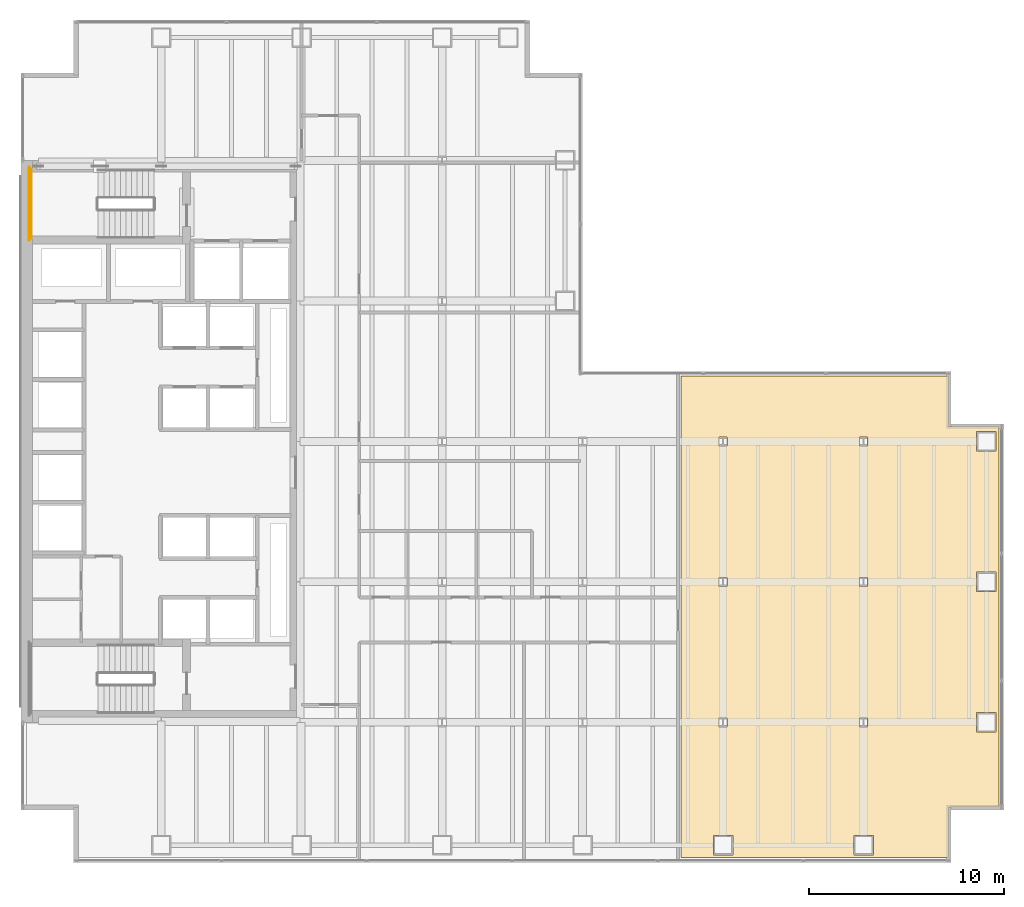
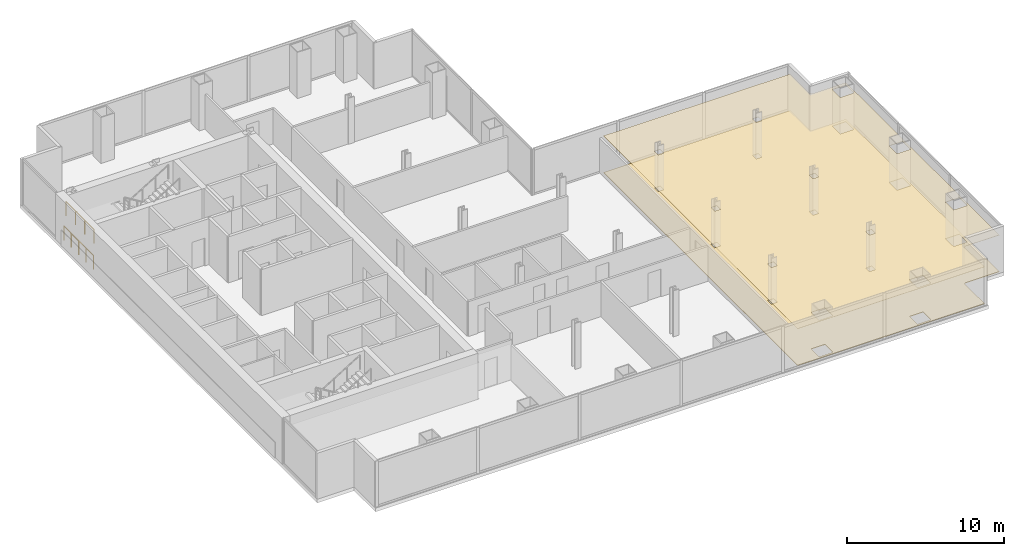
# One storey, part 24 of 25: 2 coverings, 2 railings.
"""IFC4 building model written with IfcOpenShell, lengths in metres."""

from ifc_helpers import new_model, si_unit, direction, frame, origin, origin_2d, place, context, subcontext, project, spatial, polyline, circle, outline, extrude, material, layer, layer_set, type_object, element, save


model = new_model("IFC4")

# Units and contexts
model_context = context("Model", 3, precision=1e-05, world=origin(), true_north=direction((0.0, 1.0)))
body_context = subcontext(model_context, "Body", "Model", "MODEL_VIEW")
ifc_project = project(units=[si_unit("LENGTHUNIT", "METRE"), si_unit("AREAUNIT", "SQUARE_METRE"), si_unit("VOLUMEUNIT", "CUBIC_METRE"), si_unit("PLANEANGLEUNIT", "RADIAN"), si_unit("MASSUNIT", "GRAM", prefix="KILO")], contexts=[model_context])

# Site, building, storey
site_placement = place(None, origin())
site = spatial("IfcSite", under=ifc_project, at=site_placement, CompositionType="ELEMENT")
building_placement = place(site_placement, origin())
building = spatial("IfcBuilding", under=site, at=building_placement, Name="Cobrela Telecom Tower", CompositionType="ELEMENT")
storey_placement = place(building_placement, frame((0.0, 0.0, 61.949951171875)))
storey = spatial("IfcBuildingStorey", under=building, at=storey_placement, Name="L15", CompositionType="ELEMENT", Elevation=61.949951171875)

# Coverings
ifc_material_1 = material(Name="Mineral Fibre Acoustic Ceiling Tile")
ifc_layer_1 = layer(ifc_material_1, 0.02490234375)
ifc_layer_set_1 = layer_set([ifc_layer_1], Name="Mineral Fibre Acoustic Ceiling Tile")
covering_type_1 = type_object("IfcCoveringType", Name="COV-CEIL-ACT", PredefinedType="CEILING", material=ifc_layer_set_1)
covering_1_placement = place(storey_placement, frame((0.0, 0.0, 2.85009765625)))
element("IfcCovering", 1, at=covering_1_placement, inside=storey, type_object=covering_type_1, Name="L15 Systems Engineering Studio 9 Suspended Acoustic Ceiling", PredefinedType="CEILING", context=body_context, shape_type="SweptSolid", body=[
    extrude(outline(polyline([(47.66259765625, 2.847412109375), (47.6494140625, 2.843994140625), (47.636474609375, 2.83935546875), (47.6240234375, 2.83349609375), (47.612060546875, 2.826416015625), (47.601318359375, 2.818359375), (47.591064453125, 2.80908203125), (47.581787109375, 2.798828125), (47.573486328125, 2.787841796875), (47.56640625, 2.77587890625), (47.560546875, 2.763671875), (47.555908203125, 2.75048828125), (47.552490234375, 2.7373046875), (47.550537109375, 2.7236328125), (47.550048828125, 2.7109375), (47.550048828125, 0.260009765625), (33.840087890625, 0.260009765625), (33.840087890625, 24.93994140625), (47.550048828125, 24.93994140625), (47.550048828125, 22.489013671875), (47.550537109375, 22.476318359375), (47.552490234375, 22.462646484375), (47.555908203125, 22.449462890625), (47.560546875, 22.436279296875), (47.56640625, 22.424072265625), (47.573486328125, 22.412109375), (47.581787109375, 22.401123046875), (47.591064453125, 22.39111328125), (47.601318359375, 22.381591796875), (47.612060546875, 22.37353515625), (47.6240234375, 22.366455078125), (47.636474609375, 22.360595703125), (47.6494140625, 22.35595703125), (47.66259765625, 22.3525390625), (47.67626953125, 22.3505859375), (47.68896484375, 22.35009765625), (50.139892578125, 22.35009765625), (50.139892578125, 2.85009765625), (47.68896484375, 2.85009765625), (47.67626953125, 2.849365234375), (47.66259765625, 2.847412109375)]), holes=[polyline([(36.5, 0.39990234375), (36.5, 1.39990234375), (35.5, 1.39990234375), (35.5, 0.39990234375), (36.5, 0.39990234375)]), polyline([(43.699951171875, 0.39990234375), (43.699951171875, 1.39990234375), (42.699951171875, 1.39990234375), (42.699951171875, 0.39990234375), (43.699951171875, 0.39990234375)]), polyline([(36.2109375, 6.967529296875), (36.2109375, 7.4326171875), (35.7890625, 7.4326171875), (35.7890625, 6.967529296875), (36.2109375, 6.967529296875)]), polyline([(43.410888671875, 6.967529296875), (43.410888671875, 7.4326171875), (42.989013671875, 7.4326171875), (42.989013671875, 6.967529296875), (43.410888671875, 6.967529296875)]), polyline([(50.0, 6.699951171875), (50.0, 7.699951171875), (49.0, 7.699951171875), (49.0, 6.699951171875), (50.0, 6.699951171875)]), polyline([(36.2109375, 14.16748046875), (36.2109375, 14.632568359375), (35.7890625, 14.632568359375), (35.7890625, 14.16748046875), (36.2109375, 14.16748046875)]), polyline([(43.410888671875, 14.16748046875), (43.410888671875, 14.632568359375), (42.989013671875, 14.632568359375), (42.989013671875, 14.16748046875), (43.410888671875, 14.16748046875)]), polyline([(50.0, 13.89990234375), (50.0, 14.89990234375), (49.0, 14.89990234375), (49.0, 13.89990234375), (50.0, 13.89990234375)]), polyline([(36.2109375, 21.367431640625), (36.2109375, 21.83251953125), (35.7890625, 21.83251953125), (35.7890625, 21.367431640625), (36.2109375, 21.367431640625)]), polyline([(43.410888671875, 21.367431640625), (43.410888671875, 21.83251953125), (42.989013671875, 21.83251953125), (42.989013671875, 21.367431640625), (43.410888671875, 21.367431640625)]), polyline([(50.0, 21.10009765625), (50.0, 22.10009765625), (49.0, 22.10009765625), (49.0, 21.10009765625), (50.0, 21.10009765625)])]), origin(), (0.0, 0.0, 1.0), 0.02490234375),
])
ifc_material_2 = material(Name="Honed Colombian Basalt Stone", Category="masonry")
ifc_layer_2 = layer(ifc_material_2, 0.0400390625)
ifc_layer_set_2 = layer_set([ifc_layer_2], Name="Honed Colombian Basalt Stone")
covering_type_2 = type_object("IfcCoveringType", Name="COV-FLR-STONE", PredefinedType="FLOORING", material=ifc_layer_set_2)
covering_2_placement = place(storey_placement, origin())
element("IfcCovering", 2, at=covering_2_placement, inside=storey, type_object=covering_type_2, Name="L15 Systems Engineering Studio 9 Raised Technical Flooring", PredefinedType="FLOORING", context=body_context, shape_type="SweptSolid", body=[
    extrude(outline(polyline([(47.66259765625, 2.847412109375), (47.6494140625, 2.843994140625), (47.636474609375, 2.83935546875), (47.6240234375, 2.83349609375), (47.612060546875, 2.826416015625), (47.601318359375, 2.818359375), (47.591064453125, 2.80908203125), (47.581787109375, 2.798828125), (47.573486328125, 2.787841796875), (47.56640625, 2.77587890625), (47.560546875, 2.763671875), (47.555908203125, 2.75048828125), (47.552490234375, 2.7373046875), (47.550537109375, 2.7236328125), (47.550048828125, 2.7109375), (47.550048828125, 0.260009765625), (33.840087890625, 0.260009765625), (33.840087890625, 24.93994140625), (47.550048828125, 24.93994140625), (47.550048828125, 22.489013671875), (47.550537109375, 22.476318359375), (47.552490234375, 22.462646484375), (47.555908203125, 22.449462890625), (47.560546875, 22.436279296875), (47.56640625, 22.424072265625), (47.573486328125, 22.412109375), (47.581787109375, 22.401123046875), (47.591064453125, 22.39111328125), (47.601318359375, 22.381591796875), (47.612060546875, 22.37353515625), (47.6240234375, 22.366455078125), (47.636474609375, 22.360595703125), (47.6494140625, 22.35595703125), (47.66259765625, 22.3525390625), (47.67626953125, 22.3505859375), (47.68896484375, 22.35009765625), (50.139892578125, 22.35009765625), (50.139892578125, 2.85009765625), (47.68896484375, 2.85009765625), (47.67626953125, 2.849365234375), (47.66259765625, 2.847412109375)]), holes=[polyline([(36.5, 0.39990234375), (36.5, 1.39990234375), (35.5, 1.39990234375), (35.5, 0.39990234375), (36.5, 0.39990234375)]), polyline([(43.699951171875, 0.39990234375), (43.699951171875, 1.39990234375), (42.699951171875, 1.39990234375), (42.699951171875, 0.39990234375), (43.699951171875, 0.39990234375)]), polyline([(36.2109375, 6.967529296875), (36.2109375, 7.4326171875), (35.7890625, 7.4326171875), (35.7890625, 6.967529296875), (36.2109375, 6.967529296875)]), polyline([(43.410888671875, 6.967529296875), (43.410888671875, 7.4326171875), (42.989013671875, 7.4326171875), (42.989013671875, 6.967529296875), (43.410888671875, 6.967529296875)]), polyline([(50.0, 6.699951171875), (50.0, 7.699951171875), (49.0, 7.699951171875), (49.0, 6.699951171875), (50.0, 6.699951171875)]), polyline([(36.2109375, 14.16748046875), (36.2109375, 14.632568359375), (35.7890625, 14.632568359375), (35.7890625, 14.16748046875), (36.2109375, 14.16748046875)]), polyline([(43.410888671875, 14.16748046875), (43.410888671875, 14.632568359375), (42.989013671875, 14.632568359375), (42.989013671875, 14.16748046875), (43.410888671875, 14.16748046875)]), polyline([(50.0, 13.89990234375), (50.0, 14.89990234375), (49.0, 14.89990234375), (49.0, 13.89990234375), (50.0, 13.89990234375)]), polyline([(36.2109375, 21.367431640625), (36.2109375, 21.83251953125), (35.7890625, 21.83251953125), (35.7890625, 21.367431640625), (36.2109375, 21.367431640625)]), polyline([(43.410888671875, 21.367431640625), (43.410888671875, 21.83251953125), (42.989013671875, 21.83251953125), (42.989013671875, 21.367431640625), (43.410888671875, 21.367431640625)]), polyline([(50.0, 21.10009765625), (50.0, 22.10009765625), (49.0, 22.10009765625), (49.0, 21.10009765625), (50.0, 21.10009765625)])]), origin(), (0.0, 0.0, 1.0), 0.0400390625),
])

# Railings
ifc_material_3 = material(Name="Steel ASTM A36", Category="steel")
railing_type = type_object("IfcRailingType", Name="RAIL-GUARD-1100", PredefinedType="GUARDRAIL", material=ifc_material_3)
railing_1_placement = place(storey_placement, frame((0.530029296875, 35.550048828125, 1.925048828125)))
element("IfcRailing", 3, at=railing_1_placement, inside=storey, type_object=railing_type, Name="L15 ST1 stair guard 3", PredefinedType="GUARDRAIL", context=body_context, shape_type="SweptSolid", body=[
    extrude(circle(Radius=0.02392578125, at=origin_2d()), frame((0.0, 0.0, 1.076171875), z_axis=(0.0, -1.0, 0.0), x_axis=(1.0, 0.0, 0.0)), (0.0, 0.0, 1.0), 3.550048828125),
    extrude(circle(Radius=0.02099609375, at=origin_2d()), origin(), (0.0, 0.0, 1.0), 1.052001953125),
    extrude(circle(Radius=0.02099609375, at=origin_2d()), frame((0.0, -1.183349609375, 0.0)), (0.0, 0.0, 1.0), 1.052001953125),
    extrude(circle(Radius=0.02099609375, at=origin_2d()), frame((0.0, -2.36669921875, 0.0)), (0.0, 0.0, 1.0), 1.052001953125),
    extrude(circle(Radius=0.02099609375, at=origin_2d()), frame((0.0, -3.550048828125, 0.0)), (0.0, 0.0, 1.0), 1.052001953125),
])
railing_2_placement = place(storey_placement, frame((0.429931640625, 35.64990234375, 0.0)))
element("IfcRailing", 4, at=railing_2_placement, inside=storey, type_object=railing_type, Name="L15 ST1 stair guard 6", PredefinedType="GUARDRAIL", context=body_context, shape_type="SweptSolid", body=[
    extrude(circle(Radius=0.02392578125, at=origin_2d()), frame((0.0, 0.0, 1.076171875), z_axis=(0.0, -1.0, 0.0), x_axis=(1.0, 0.0, 0.0)), (0.0, 0.0, 1.0), 3.75),
    extrude(circle(Radius=0.02099609375, at=origin_2d()), origin(), (0.0, 0.0, 1.0), 1.052001953125),
    extrude(circle(Radius=0.02099609375, at=origin_2d()), frame((0.0, -0.9375, 0.0)), (0.0, 0.0, 1.0), 1.052001953125),
    extrude(circle(Radius=0.02099609375, at=origin_2d()), frame((0.0, -1.875, 0.0)), (0.0, 0.0, 1.0), 1.052001953125),
    extrude(circle(Radius=0.02099609375, at=origin_2d()), frame((0.0, -2.8125, 0.0)), (0.0, 0.0, 1.0), 1.052001953125),
    extrude(circle(Radius=0.02099609375, at=origin_2d()), frame((0.0, -3.75, 0.0)), (0.0, 0.0, 1.0), 1.052001953125),
])

save(model, "model.ifc")
